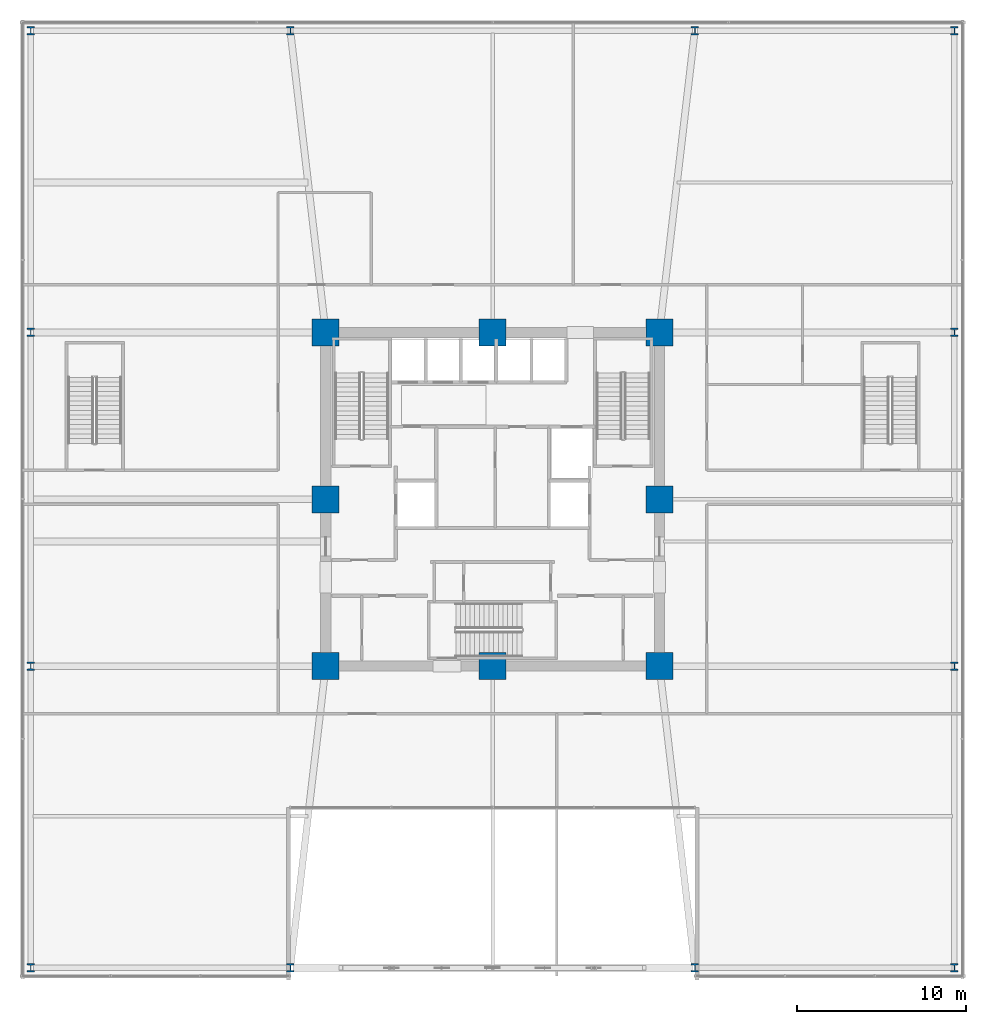
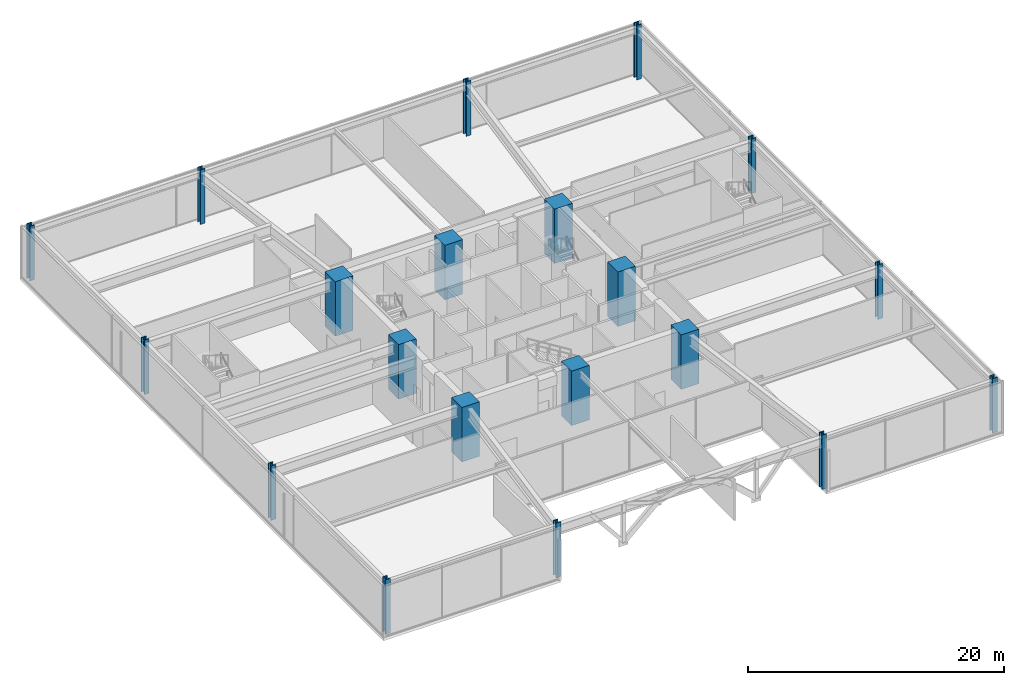
# One storey, part 1 of 49: 20 columns.
"""IFC4 building model written with IfcOpenShell, lengths in metres."""

from ifc_helpers import new_model, si_unit, direction, frame, origin, origin_2d, place, context, subcontext, project, spatial, rectangle, i_section, extrude, material, material_profile, profile_set, type_object, element, save


model = new_model("IFC4")

# Units and contexts
model_context = context("Model", 3, precision=1e-05, world=origin(), true_north=direction((0.0, 1.0)))
body_context = subcontext(model_context, "Body", "Model", "MODEL_VIEW")
ifc_project = project(units=[si_unit("LENGTHUNIT", "METRE"), si_unit("AREAUNIT", "SQUARE_METRE"), si_unit("VOLUMEUNIT", "CUBIC_METRE"), si_unit("PLANEANGLEUNIT", "RADIAN"), si_unit("MASSUNIT", "GRAM", prefix="KILO")], contexts=[model_context])

# Site, building, storey
site_placement = place(None, origin())
site = spatial("IfcSite", under=ifc_project, at=site_placement, CompositionType="ELEMENT")
building_placement = place(site_placement, origin())
building = spatial("IfcBuilding", under=site, at=building_placement, Name="Kolvaren Belvedere", CompositionType="ELEMENT")
storey_placement = place(building_placement, frame((0.0, 0.0, 10.0)))
storey = spatial("IfcBuildingStorey", under=building, at=storey_placement, Name="L03", CompositionType="ELEMENT", Elevation=10.0)

# Columns
ifc_material_1 = material(Name="Concrete C60/75", Category="concrete")
ifc_material_profile_1 = material_profile(ifc_material_1, rectangle(XDim=1.60009765625, YDim=1.60009765625, at=origin_2d()), Name="RC 1600X1600")
ifc_profile_set_1 = profile_set([ifc_material_profile_1], Name="Concrete C60/75")
column_type_1 = type_object("IfcColumnType", Name="COL-RC-1600", PredefinedType="COLUMN", material=ifc_profile_set_1)
for number, where, z_axis, x_axis, name in (
    (1, (-9.89990234375, -9.89990234375, 0.0), (0.0, 0.0, 1.0), (1.0, 0.0, 0.0), "L03 Core Column CC1"),
    (2, (9.89990234375, -9.89990234375, 0.0), (0.0, 0.0, 1.0), (1.0, 0.0, 0.0), "L03 Core Column CC2"),
    (3, (9.89990234375, 9.89990234375, 0.0), (0.0, 0.0, 1.0), (1.0, 0.0, 0.0), "L03 Core Column CC3"),
    (4, (-9.89990234375, 9.89990234375, 0.0), (0.0, 0.0, 1.0), (1.0, 0.0, 0.0), "L03 Core Column CC4"),
    (5, (0.0, -9.89990234375, 0.0), (0.0, 0.0, 1.0), (1.0, 0.0, 0.0), "L03 Core Column CM1"),
    (6, (9.89990234375, 0.0, 0.0), (0.0, 0.0, 1.0), (1.0, 0.0, 0.0), "L03 Core Column CM2"),
    (7, (0.0, 9.89990234375, 0.0), (0.0, 0.0, 1.0), (1.0, 0.0, 0.0), "L03 Core Column CM3"),
    (8, (-9.89990234375, 0.0, 0.0), (0.0, 0.0, 1.0), (1.0, 0.0, 0.0), "L03 Core Column CM4"),
):
    element("IfcColumn", number, at=place(storey_placement, frame(where, z_axis=z_axis, x_axis=x_axis)), inside=storey, type_object=column_type_1, Name=name, PredefinedType="COLUMN", context=body_context, shape_type="SweptSolid", body=[
        extrude(rectangle(XDim=1.60009765625, YDim=1.60009765625, at=origin_2d()), origin(), (0.0, 0.0, 1.0), 5.199951171875),
    ])
ifc_material_2 = material(Name="Structural steel ASTM A992 Grade 50", Category="steel")
ifc_material_profile_2 = material_profile(ifc_material_2, i_section(OverallWidth=0.431884765625, OverallDepth=0.498046875, WebThickness=0.0556640625, FlangeThickness=0.0888671875, FilletRadius=0.02490234375, at=origin_2d()), Name="W14X500")
ifc_profile_set_2 = profile_set([ifc_material_profile_2], Name="Structural steel ASTM A992 Grade 50")
column_type_2 = type_object("IfcColumnType", Name="COL-ST-W14X500", PredefinedType="COLUMN", material=ifc_profile_set_2)
for number, where, z_axis, x_axis, name in (
    (9, (-27.39990234375, -27.800048828125, 0.0), (0.0, 0.0, 1.0), (1.0, 0.0, 0.0), "L03 Podium Mega-Column PA1"),
    (10, (-12.0, -27.800048828125, 0.0), (0.0, 0.0, 1.0), (1.0, 0.0, 0.0), "L03 Podium Mega-Column PA2"),
    (11, (12.0, -27.800048828125, 0.0), (0.0, 0.0, 1.0), (1.0, 0.0, 0.0), "L03 Podium Mega-Column PA3"),
    (12, (27.39990234375, -27.800048828125, 0.0), (0.0, 0.0, 1.0), (1.0, 0.0, 0.0), "L03 Podium Mega-Column PA4"),
    (13, (-27.39990234375, -9.89990234375, 0.0), (0.0, 0.0, 1.0), (1.0, 0.0, 0.0), "L03 Podium Mega-Column PB1"),
    (14, (27.39990234375, -9.89990234375, 0.0), (0.0, 0.0, 1.0), (1.0, 0.0, 0.0), "L03 Podium Mega-Column PB4"),
    (15, (-27.39990234375, 9.89990234375, 0.0), (0.0, 0.0, 1.0), (1.0, 0.0, 0.0), "L03 Podium Mega-Column PC1"),
    (16, (27.39990234375, 9.89990234375, 0.0), (0.0, 0.0, 1.0), (1.0, 0.0, 0.0), "L03 Podium Mega-Column PC4"),
    (17, (-27.39990234375, 27.800048828125, 0.0), (0.0, 0.0, 1.0), (1.0, 0.0, 0.0), "L03 Podium Mega-Column PD1"),
    (18, (-12.0, 27.800048828125, 0.0), (0.0, 0.0, 1.0), (1.0, 0.0, 0.0), "L03 Podium Mega-Column PD2"),
    (19, (12.0, 27.800048828125, 0.0), (0.0, 0.0, 1.0), (1.0, 0.0, 0.0), "L03 Podium Mega-Column PD3"),
    (20, (27.39990234375, 27.800048828125, 0.0), (0.0, 0.0, 1.0), (1.0, 0.0, 0.0), "L03 Podium Mega-Column PD4"),
):
    element("IfcColumn", number, at=place(storey_placement, frame(where, z_axis=z_axis, x_axis=x_axis)), inside=storey, type_object=column_type_2, Name=name, PredefinedType="COLUMN", context=body_context, shape_type="SweptSolid", body=[
        extrude(i_section(OverallWidth=0.431884765625, OverallDepth=0.498046875, WebThickness=0.0556640625, FlangeThickness=0.0888671875, FilletRadius=0.02490234375, at=origin_2d()), origin(), (0.0, 0.0, 1.0), 5.199951171875),
    ])

save(model, "model.ifc")
